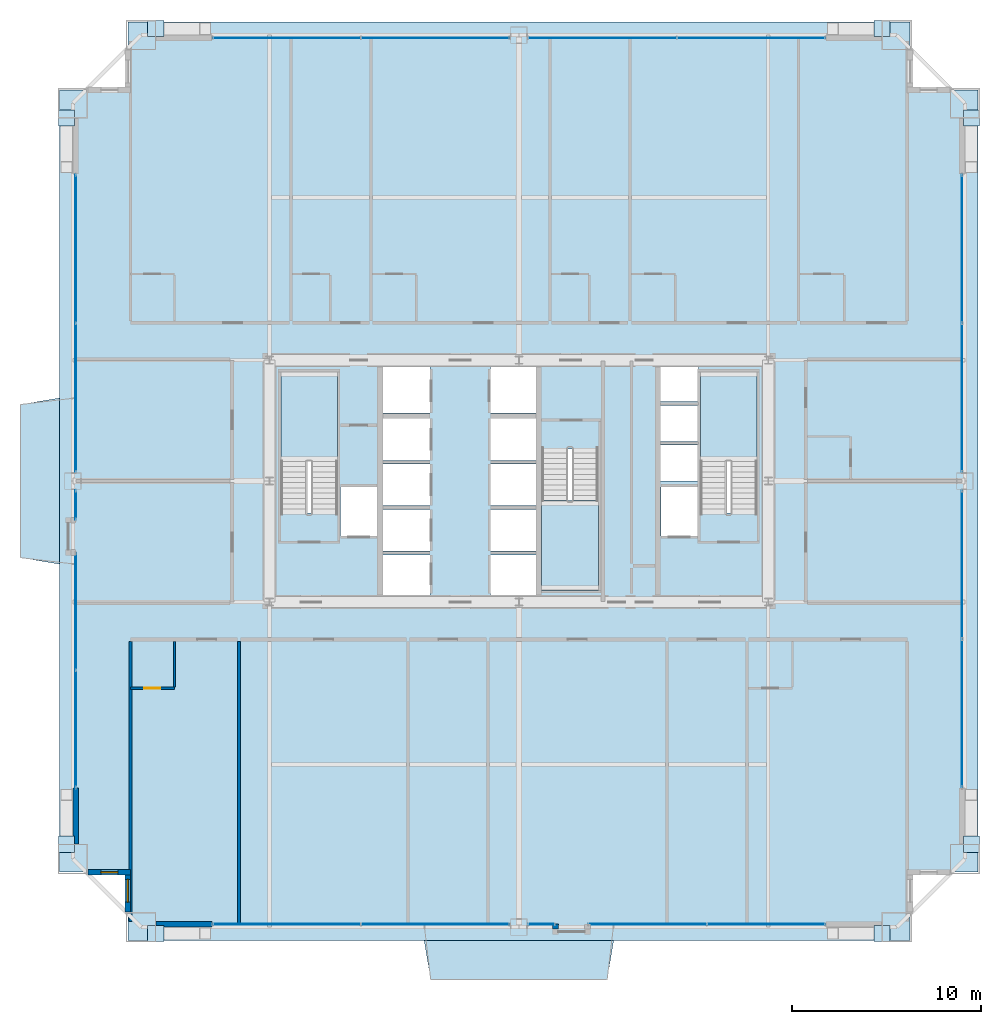
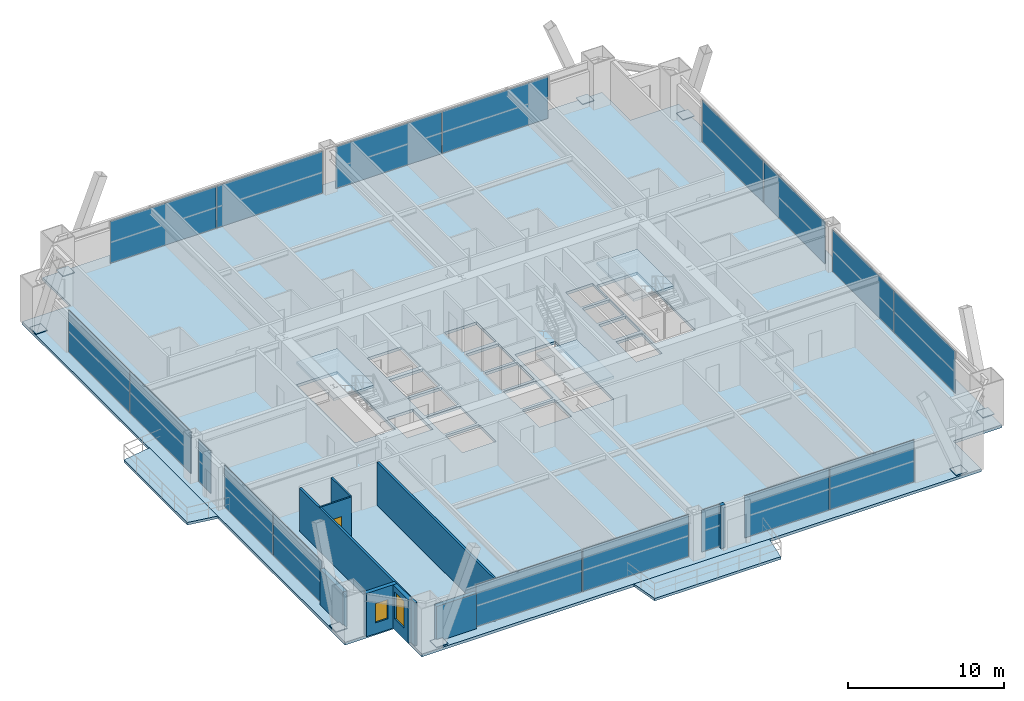
# One storey, part 37 of 42: 26 plates, 9 walls, 6 slabs, 2 windows, 1 door, 3 openings, 13 elements without a shape of their own.
"""IFC4 building model written with IfcOpenShell, lengths in metres."""

from ifc_helpers import new_model, si_unit, direction, frame, frame_2d, origin, origin_2d, place, context, subcontext, project, spatial, polyline, rectangle, outline, extrude, source, transform, mapped, material, layer, layer_set, type_object, element, fill, aggregate, save


model = new_model("IFC4")

# Units and contexts
model_context = context("Model", 3, precision=1e-05, world=origin(), true_north=direction((0.0, 1.0)))
body_context = subcontext(model_context, "Body", "Model", "MODEL_VIEW")
ifc_project = project(units=[si_unit("LENGTHUNIT", "METRE"), si_unit("AREAUNIT", "SQUARE_METRE"), si_unit("VOLUMEUNIT", "CUBIC_METRE"), si_unit("PLANEANGLEUNIT", "RADIAN"), si_unit("MASSUNIT", "GRAM", prefix="KILO"), si_unit("THERMODYNAMICTEMPERATUREUNIT", "KELVIN"), si_unit("POWERUNIT", "WATT")], contexts=[model_context])

# Site, building, storey
site_placement = place(None, origin())
site = spatial("IfcSite", under=ifc_project, at=site_placement, CompositionType="ELEMENT")
building_placement = place(site_placement, origin())
building = spatial("IfcBuilding", under=site, at=building_placement, Name="Yuzanri Waterfront Tower", CompositionType="ELEMENT")
storey_placement = place(building_placement, frame((0.0, 0.0, 145.199951171875)))
storey = spatial("IfcBuildingStorey", under=building, at=storey_placement, Name="L38", CompositionType="ELEMENT", Elevation=145.199951171875)

# Slabs
ifc_material_1 = material(Name="Concrete C40", Category="concrete")
ifc_layer_1 = layer(ifc_material_1, 0.199951171875)
ifc_layer_set_1 = layer_set([ifc_layer_1], Name="Concrete C40")
slab_type_1 = type_object("IfcSlabType", Name="Concrete C40 Cantilevered Engawa Wave Terrace Slab 200", PredefinedType="FLOOR", material=ifc_layer_set_1)
slab_1_placement = place(storey_placement, frame((0.0, 0.0, -0.199951171875)))
element("IfcSlab", 1, at=slab_1_placement, inside=storey, type_object=slab_type_1, Name="L38 S Cantilevered Engawa Terrace Slab", PredefinedType="FLOOR", context=body_context, shape_type="SweptSolid", body=[
    extrude(outline(polyline([(31.9833984375, 1.5), (42.0166015625, 1.5), (41.66650390625, -0.576904296875), (32.33349609375, -0.576904296875), (31.9833984375, 1.5)])), origin(), (0.0, 0.0, 1.0), 0.199951171875),
])
slab_2_placement = place(storey_placement, frame((0.0, 0.0, -0.199951171875)))
element("IfcSlab", 2, at=slab_2_placement, inside=storey, type_object=slab_type_1, Name="L38 W Cantilevered Engawa Terrace Slab", PredefinedType="FLOOR", context=body_context, shape_type="SweptSolid", body=[
    extrude(outline(polyline([(12.699951171875, 21.39990234375), (10.623046875, 21.75), (10.623046875, 29.85009765625), (12.699951171875, 30.199951171875), (12.699951171875, 21.39990234375)])), origin(), (0.0, 0.0, 1.0), 0.199951171875),
])

# Stair, slab
ifc_material_2 = material(Name="Concrete C40", Category="concrete")
stair_type = type_object("IfcStairType", Name="Concrete C40 Core Dogleg Exit Stair", PredefinedType="HALF_TURN_STAIR", material=ifc_material_2)
stair_1_placement = place(storey_placement, origin())
stair_1 = element("IfcStair", 3, at=stair_1_placement, inside=storey, type_object=stair_type, Name="L38 Smoke-Proof Core Stair ST-01", PredefinedType="HALF_TURN_STAIR")
ifc_material_3 = material(Name="Concrete C40", Category="concrete")
ifc_layer_2 = layer(ifc_material_3, 0.179931640625)
ifc_layer_set_2 = layer_set([ifc_layer_2], Name="Concrete C40")
slab_type_2 = type_object("IfcSlabType", Name="Concrete C40 Stair Half-Landing Slab 180", PredefinedType="LANDING", material=ifc_layer_set_2)
slab_3_placement = place(storey_placement, frame((0.0, 0.0, 1.60009765625)))
slab_3 = element("IfcSlab", 4, at=slab_3_placement, type_object=slab_type_2, Name="ST-01 landing 1", PredefinedType="LANDING", context=body_context, shape_type="SweptSolid", body=[
    extrude(outline(polyline([(27.39990234375, 26.840087890625), (27.39990234375, 31.580078125), (24.39990234375, 31.580078125), (24.39990234375, 26.840087890625), (27.39990234375, 26.840087890625)])), origin(), (0.0, 0.0, 1.0), 0.199951171875),
])
aggregate(stair_1, [slab_3])

stair_2_placement = place(storey_placement, origin())
stair_2 = element("IfcStair", 5, at=stair_2_placement, inside=storey, type_object=stair_type, Name="L38 Smoke-Proof Core Stair ST-02", PredefinedType="HALF_TURN_STAIR")
slab_4_placement = place(storey_placement, frame((0.0, 0.0, 1.60009765625)))
slab_4 = element("IfcSlab", 6, at=slab_4_placement, type_object=slab_type_2, Name="ST-02 landing 1", PredefinedType="LANDING", context=body_context, shape_type="SweptSolid", body=[
    extrude(outline(polyline([(49.60009765625, 26.840087890625), (49.60009765625, 31.580078125), (46.60009765625, 31.580078125), (46.60009765625, 26.840087890625), (49.60009765625, 26.840087890625)])), origin(), (0.0, 0.0, 1.0), 0.199951171875),
])
aggregate(stair_2, [slab_4])

stair_3_placement = place(storey_placement, origin())
stair_3 = element("IfcStair", 7, at=stair_3_placement, inside=storey, type_object=stair_type, Name="L38 Smoke-Proof Core Stair ST-03", PredefinedType="HALF_TURN_STAIR")
slab_5_placement = place(storey_placement, frame((0.0, 0.0, 1.60009765625)))
slab_5 = element("IfcSlab", 8, at=slab_5_placement, type_object=slab_type_2, Name="ST-03 landing 1", PredefinedType="LANDING", context=body_context, shape_type="SweptSolid", body=[
    extrude(outline(polyline([(38.199951171875, 24.760009765625), (38.199951171875, 20.02001953125), (41.199951171875, 20.02001953125), (41.199951171875, 24.760009765625), (38.199951171875, 24.760009765625)])), origin(), (0.0, 0.0, 1.0), 0.199951171875),
])
aggregate(stair_3, [slab_5])

# Slab
ifc_material_4 = material(Name="Concrete C40", Category="concrete")
ifc_layer_3 = layer(ifc_material_4, 0.219970703125)
ifc_layer_set_3 = layer_set([ifc_layer_3], Name="Concrete C40")
slab_type_3 = type_object("IfcSlabType", Name="Concrete C40 Tower Typical Structural Floor Slab 220", PredefinedType="FLOOR", material=ifc_layer_set_3)
slab_6_placement = place(storey_placement, frame((0.0, 0.0, -0.219970703125)))
element("IfcSlab", 9, at=slab_6_placement, inside=storey, type_object=slab_type_3, Name="L38 Main Structural Floor Slab", PredefinedType="FLOOR", context=body_context, shape_type="SweptSolid", body=[
    extrude(outline(polyline([(16.300048828125, 1.5), (57.699951171875, 1.5), (57.699951171875, 5.10009765625), (61.300048828125, 5.10009765625), (61.300048828125, 46.5), (57.699951171875, 46.5), (57.699951171875, 50.10009765625), (16.300048828125, 50.10009765625), (16.300048828125, 46.5), (12.699951171875, 46.5), (12.699951171875, 5.10009765625), (16.300048828125, 5.10009765625), (16.300048828125, 1.5)]), holes=[polyline([(27.39990234375, 24.10009765625), (27.39990234375, 31.580078125), (24.39990234375, 31.580078125), (24.39990234375, 24.10009765625), (27.39990234375, 24.10009765625)]), polyline([(49.60009765625, 24.10009765625), (49.60009765625, 31.580078125), (46.60009765625, 31.580078125), (46.60009765625, 24.10009765625), (49.60009765625, 24.10009765625)]), polyline([(38.199951171875, 27.5), (38.199951171875, 20.02001953125), (41.199951171875, 20.02001953125), (41.199951171875, 27.5), (38.199951171875, 27.5)]), polyline([(27.56005859375, 22.89990234375), (29.47998046875, 22.89990234375), (29.47998046875, 25.5), (27.56005859375, 25.5), (27.56005859375, 22.89990234375)]), polyline([(44.52001953125, 22.89990234375), (46.43994140625, 22.89990234375), (46.43994140625, 25.5), (44.52001953125, 25.5), (44.52001953125, 22.89990234375)]), polyline([(29.800048828125, 19.699951171875), (32.300048828125, 19.699951171875), (32.300048828125, 21.89990234375), (29.800048828125, 21.89990234375), (29.800048828125, 19.699951171875)]), polyline([(29.800048828125, 22.10009765625), (32.300048828125, 22.10009765625), (32.300048828125, 24.300048828125), (29.800048828125, 24.300048828125), (29.800048828125, 22.10009765625)]), polyline([(29.800048828125, 24.5), (32.300048828125, 24.5), (32.300048828125, 26.699951171875), (29.800048828125, 26.699951171875), (29.800048828125, 24.5)]), polyline([(29.800048828125, 26.89990234375), (32.300048828125, 26.89990234375), (32.300048828125, 29.10009765625), (29.800048828125, 29.10009765625), (29.800048828125, 26.89990234375)]), polyline([(29.800048828125, 29.39990234375), (32.300048828125, 29.39990234375), (32.300048828125, 31.89990234375), (29.800048828125, 31.89990234375), (29.800048828125, 29.39990234375)]), polyline([(35.5, 19.699951171875), (37.89990234375, 19.699951171875), (37.89990234375, 21.89990234375), (35.5, 21.89990234375), (35.5, 19.699951171875)]), polyline([(35.5, 22.10009765625), (37.89990234375, 22.10009765625), (37.89990234375, 24.300048828125), (35.5, 24.300048828125), (35.5, 22.10009765625)]), polyline([(35.5, 24.5), (37.89990234375, 24.5), (37.89990234375, 26.699951171875), (35.5, 26.699951171875), (35.5, 24.5)]), polyline([(35.5, 26.89990234375), (37.89990234375, 26.89990234375), (37.89990234375, 29.10009765625), (35.5, 29.10009765625), (35.5, 26.89990234375)]), polyline([(35.5, 29.39990234375), (37.89990234375, 29.39990234375), (37.89990234375, 31.89990234375), (35.5, 31.89990234375), (35.5, 29.39990234375)]), polyline([(44.5, 25.800048828125), (46.5, 25.800048828125), (46.5, 27.699951171875), (44.5, 27.699951171875), (44.5, 25.800048828125)]), polyline([(44.5, 27.89990234375), (46.5, 27.89990234375), (46.5, 29.800048828125), (44.5, 29.800048828125), (44.5, 27.89990234375)]), polyline([(44.5, 30.0), (46.5, 30.0), (46.5, 31.89990234375), (44.5, 31.89990234375), (44.5, 30.0)])]), origin(), (0.0, 0.0, 1.0), 0.219970703125),
])

# Plates
ifc_material_5 = material(Name="Steel Q420GJC", Category="steel")
ifc_layer_4 = layer(ifc_material_5, 0.0400390625)
ifc_layer_set_4 = layer_set([ifc_layer_4], Name="Steel Q420GJC")
plate_type_1 = type_object("IfcPlateType", Name="Steel Q420GJC Mega-Brace Gusset and End-Cap Plate 40", PredefinedType="SHEET", material=ifc_layer_set_4)
shared_shape_1 = source(origin(), body_context, "Body", "SweptSolid", [
    extrude(rectangle(XDim=0.85009765625, YDim=0.85009765625, at=origin_2d()), origin(), (0.0, 0.0, 1.0), 0.0400390625),
])
for number, where, z_axis, x_axis, name in (
    (10, (17.780029296875, 1.860107421875, 0.159912109375), (0.0, 0.0, 1.0), (1.0, 0.0, 0.0), "L38 Mega-Brace Foot Cap Plate S-L"),
    (11, (56.219970703125, 1.860107421875, 0.159912109375), (0.0, 0.0, 1.0), (1.0, 0.0, 0.0), "L38 Mega-Brace Foot Cap Plate S-R"),
    (12, (17.780029296875, 49.739990234375, 0.159912109375), (0.0, 0.0, 1.0), (1.0, 0.0, 0.0), "L38 Mega-Brace Foot Cap Plate N-L"),
    (13, (56.219970703125, 49.739990234375, 0.159912109375), (0.0, 0.0, 1.0), (1.0, 0.0, 0.0), "L38 Mega-Brace Foot Cap Plate N-R"),
    (14, (13.06005859375, 6.580078125, 0.159912109375), (0.0, 0.0, 1.0), (1.0, 0.0, 0.0), "L38 Mega-Brace Foot Cap Plate W-L"),
    (15, (13.06005859375, 45.02001953125, 0.159912109375), (0.0, 0.0, 1.0), (1.0, 0.0, 0.0), "L38 Mega-Brace Foot Cap Plate W-R"),
    (16, (60.93994140625, 6.580078125, 0.159912109375), (0.0, 0.0, 1.0), (1.0, 0.0, 0.0), "L38 Mega-Brace Foot Cap Plate E-L"),
    (17, (60.93994140625, 45.02001953125, 0.159912109375), (0.0, 0.0, 1.0), (1.0, 0.0, 0.0), "L38 Mega-Brace Foot Cap Plate E-R"),
):
    element("IfcPlate", number, at=place(storey_placement, frame(where, z_axis=z_axis, x_axis=x_axis)), inside=storey, type_object=plate_type_1, Name=name, PredefinedType="SHEET", context=body_context, shape_type="MappedRepresentation", body=[
        mapped(shared_shape_1, transform((0.0, 0.0, 0.0), scale=1.0)),
    ])

# Curtain wall, plate
ifc_material_6 = material(Name="Anodized Architectural Bronze", Category="metal")
ifc_layer_5 = layer(ifc_material_6, 0.159912109375)
ifc_layer_set_5 = layer_set([ifc_layer_5], Name="Anodized Architectural Bronze")
curtain_wall_type = type_object("IfcCurtainWallType", Name="Anodized Bronze Hotel Upper-Tier Solar-Control Unitized Curtain Wall 7800", PredefinedType="NOTDEFINED", material=ifc_layer_set_5)
curtain_wall_1_placement = place(storey_placement, origin())
curtain_wall_1 = element("IfcCurtainWall", 18, at=curtain_wall_1_placement, inside=storey, type_object=curtain_wall_type, Name="L38 Curtain Wall CW-L38-WL2", PredefinedType="NOTDEFINED")
ifc_material_7 = material(Name="Double-Silver Low-E Insulated Glass", Category="glass")
ifc_layer_6 = layer(ifc_material_7, 0.035888671875)
ifc_layer_set_6 = layer_set([ifc_layer_6], Name="Double-Silver Low-E Insulated Glass")
plate_type_2 = type_object("IfcPlateType", Name="Double Silver Low-E Insulated Vision Glass Panel 36", PredefinedType="CURTAIN_PANEL", material=ifc_layer_set_6)
shared_shape_2 = source(origin(), body_context, "Body", "SweptSolid", [
    extrude(rectangle(XDim=1.544921875, YDim=0.035888671875, at=origin_2d()), origin(), (0.0, 0.0, 1.0), 3.280029296875),
])
plate_1_placement = place(storey_placement, frame((13.550048828125, 24.53759765625, 0.0498046875), z_axis=(0.0, 0.0, 1.0), x_axis=(0.0, 1.0, 0.0)))
plate_1 = element("IfcPlate", 19, at=plate_1_placement, type_object=plate_type_2, Name="CW-L38-WL2 Vision Glass Panel 01", PredefinedType="CURTAIN_PANEL", context=body_context, shape_type="MappedRepresentation", body=[
    mapped(shared_shape_2, transform((0.0, 0.0, 0.0), scale=1.0)),
])
aggregate(curtain_wall_1, [plate_1])

# Curtain wall, plates
curtain_wall_2_placement = place(storey_placement, origin())
curtain_wall_2 = element("IfcCurtainWall", 20, at=curtain_wall_2_placement, inside=storey, type_object=curtain_wall_type, Name="L38 Curtain Wall CW-L38-SL", PredefinedType="NOTDEFINED")
shared_shape_3 = source(origin(), body_context, "Body", "SweptSolid", [
    extrude(rectangle(XDim=7.820068359375, YDim=0.035888671875, at=origin_2d()), origin(), (0.0, 0.0, 1.0), 3.280029296875),
])
plate_2_placement = place(storey_placement, frame((24.699951171875, 2.35009765625, 0.0498046875), z_axis=(0.0, 0.0, 1.0), x_axis=(1.0, 0.0, 0.0)))
plate_2 = element("IfcPlate", 21, at=plate_2_placement, type_object=plate_type_2, Name="CW-L38-SL Vision Glass Panel 01", PredefinedType="CURTAIN_PANEL", context=body_context, shape_type="MappedRepresentation", body=[
    mapped(shared_shape_3, transform((0.0, 0.0, 0.0), scale=1.0)),
])
plate_3_placement = place(storey_placement, frame((32.60009765625, 2.35009765625, 0.0498046875), z_axis=(0.0, 0.0, 1.0), x_axis=(1.0, 0.0, 0.0)))
plate_3 = element("IfcPlate", 22, at=plate_3_placement, type_object=plate_type_2, Name="CW-L38-SL Vision Glass Panel 02", PredefinedType="CURTAIN_PANEL", context=body_context, shape_type="MappedRepresentation", body=[
    mapped(shared_shape_3, transform((0.0, 0.0, 0.0), scale=1.0)),
])
aggregate(curtain_wall_2, [plate_2, plate_3])

curtain_wall_3_placement = place(storey_placement, origin())
curtain_wall_3 = element("IfcCurtainWall", 23, at=curtain_wall_3_placement, inside=storey, type_object=curtain_wall_type, Name="L38 Curtain Wall CW-L38-NL", PredefinedType="NOTDEFINED")
plate_4_placement = place(storey_placement, frame((24.699951171875, 49.25, 0.0498046875), z_axis=(0.0, 0.0, 1.0), x_axis=(1.0, 0.0, 0.0)))
plate_4 = element("IfcPlate", 24, at=plate_4_placement, type_object=plate_type_2, Name="CW-L38-NL Vision Glass Panel 01", PredefinedType="CURTAIN_PANEL", context=body_context, shape_type="MappedRepresentation", body=[
    mapped(shared_shape_3, transform((0.0, 0.0, 0.0), scale=1.0)),
])
plate_5_placement = place(storey_placement, frame((32.60009765625, 49.25, 0.0498046875), z_axis=(0.0, 0.0, 1.0), x_axis=(1.0, 0.0, 0.0)))
plate_5 = element("IfcPlate", 25, at=plate_5_placement, type_object=plate_type_2, Name="CW-L38-NL Vision Glass Panel 02", PredefinedType="CURTAIN_PANEL", context=body_context, shape_type="MappedRepresentation", body=[
    mapped(shared_shape_3, transform((0.0, 0.0, 0.0), scale=1.0)),
])
aggregate(curtain_wall_3, [plate_4, plate_5])

curtain_wall_4_placement = place(storey_placement, origin())
curtain_wall_4 = element("IfcCurtainWall", 26, at=curtain_wall_4_placement, inside=storey, type_object=curtain_wall_type, Name="L38 Curtain Wall CW-L38-NR", PredefinedType="NOTDEFINED")
plate_6_placement = place(storey_placement, frame((41.39990234375, 49.25, 0.0498046875), z_axis=(0.0, 0.0, 1.0), x_axis=(1.0, 0.0, 0.0)))
plate_6 = element("IfcPlate", 27, at=plate_6_placement, type_object=plate_type_2, Name="CW-L38-NR Vision Glass Panel 01", PredefinedType="CURTAIN_PANEL", context=body_context, shape_type="MappedRepresentation", body=[
    mapped(shared_shape_3, transform((0.0, 0.0, 0.0), scale=1.0)),
])
plate_7_placement = place(storey_placement, frame((49.300048828125, 49.25, 0.0498046875), z_axis=(0.0, 0.0, 1.0), x_axis=(1.0, 0.0, 0.0)))
plate_7 = element("IfcPlate", 28, at=plate_7_placement, type_object=plate_type_2, Name="CW-L38-NR Vision Glass Panel 02", PredefinedType="CURTAIN_PANEL", context=body_context, shape_type="MappedRepresentation", body=[
    mapped(shared_shape_3, transform((0.0, 0.0, 0.0), scale=1.0)),
])
aggregate(curtain_wall_4, [plate_6, plate_7])

curtain_wall_5_placement = place(storey_placement, origin())
curtain_wall_5 = element("IfcCurtainWall", 29, at=curtain_wall_5_placement, inside=storey, type_object=curtain_wall_type, Name="L38 Curtain Wall CW-L38-WR", PredefinedType="NOTDEFINED")
plate_8_placement = place(storey_placement, frame((13.550048828125, 30.199951171875, 0.0498046875), z_axis=(0.0, 0.0, 1.0), x_axis=(0.0, 1.0, 0.0)))
plate_8 = element("IfcPlate", 30, at=plate_8_placement, type_object=plate_type_2, Name="CW-L38-WR Vision Glass Panel 01", PredefinedType="CURTAIN_PANEL", context=body_context, shape_type="MappedRepresentation", body=[
    mapped(shared_shape_3, transform((0.0, 0.0, 0.0), scale=1.0)),
])
plate_9_placement = place(storey_placement, frame((13.550048828125, 38.10009765625, 0.0498046875), z_axis=(0.0, 0.0, 1.0), x_axis=(0.0, 1.0, 0.0)))
plate_9 = element("IfcPlate", 31, at=plate_9_placement, type_object=plate_type_2, Name="CW-L38-WR Vision Glass Panel 02", PredefinedType="CURTAIN_PANEL", context=body_context, shape_type="MappedRepresentation", body=[
    mapped(shared_shape_3, transform((0.0, 0.0, 0.0), scale=1.0)),
])
aggregate(curtain_wall_5, [plate_8, plate_9])

curtain_wall_6_placement = place(storey_placement, origin())
curtain_wall_6 = element("IfcCurtainWall", 32, at=curtain_wall_6_placement, inside=storey, type_object=curtain_wall_type, Name="L38 Curtain Wall CW-L38-EL", PredefinedType="NOTDEFINED")
plate_10_placement = place(storey_placement, frame((60.449951171875, 13.5, 0.0498046875), z_axis=(0.0, 0.0, 1.0), x_axis=(0.0, 1.0, 0.0)))
plate_10 = element("IfcPlate", 33, at=plate_10_placement, type_object=plate_type_2, Name="CW-L38-EL Vision Glass Panel 01", PredefinedType="CURTAIN_PANEL", context=body_context, shape_type="MappedRepresentation", body=[
    mapped(shared_shape_3, transform((0.0, 0.0, 0.0), scale=1.0)),
])
plate_11_placement = place(storey_placement, frame((60.449951171875, 21.39990234375, 0.0498046875), z_axis=(0.0, 0.0, 1.0), x_axis=(0.0, 1.0, 0.0)))
plate_11 = element("IfcPlate", 34, at=plate_11_placement, type_object=plate_type_2, Name="CW-L38-EL Vision Glass Panel 02", PredefinedType="CURTAIN_PANEL", context=body_context, shape_type="MappedRepresentation", body=[
    mapped(shared_shape_3, transform((0.0, 0.0, 0.0), scale=1.0)),
])
aggregate(curtain_wall_6, [plate_10, plate_11])

curtain_wall_7_placement = place(storey_placement, origin())
curtain_wall_7 = element("IfcCurtainWall", 35, at=curtain_wall_7_placement, inside=storey, type_object=curtain_wall_type, Name="L38 Curtain Wall CW-L38-ER", PredefinedType="NOTDEFINED")
plate_12_placement = place(storey_placement, frame((60.449951171875, 30.199951171875, 0.0498046875), z_axis=(0.0, 0.0, 1.0), x_axis=(0.0, 1.0, 0.0)))
plate_12 = element("IfcPlate", 36, at=plate_12_placement, type_object=plate_type_2, Name="CW-L38-ER Vision Glass Panel 01", PredefinedType="CURTAIN_PANEL", context=body_context, shape_type="MappedRepresentation", body=[
    mapped(shared_shape_3, transform((0.0, 0.0, 0.0), scale=1.0)),
])
plate_13_placement = place(storey_placement, frame((60.449951171875, 38.10009765625, 0.0498046875), z_axis=(0.0, 0.0, 1.0), x_axis=(0.0, 1.0, 0.0)))
plate_13 = element("IfcPlate", 37, at=plate_13_placement, type_object=plate_type_2, Name="CW-L38-ER Vision Glass Panel 02", PredefinedType="CURTAIN_PANEL", context=body_context, shape_type="MappedRepresentation", body=[
    mapped(shared_shape_3, transform((0.0, 0.0, 0.0), scale=1.0)),
])
aggregate(curtain_wall_7, [plate_12, plate_13])

curtain_wall_8_placement = place(storey_placement, origin())
curtain_wall_8 = element("IfcCurtainWall", 38, at=curtain_wall_8_placement, inside=storey, type_object=curtain_wall_type, Name="L38 Curtain Wall CW-L38-WL1", PredefinedType="NOTDEFINED")
shared_shape_4 = source(origin(), body_context, "Body", "SweptSolid", [
    extrude(rectangle(XDim=6.157470703125, YDim=0.035888671875, at=origin_2d()), origin(), (0.0, 0.0, 1.0), 3.280029296875),
])
plate_14_placement = place(storey_placement, frame((13.550048828125, 12.668701171875, 0.0498046875), z_axis=(0.0, 0.0, 1.0), x_axis=(0.0, 1.0, 0.0)))
plate_14 = element("IfcPlate", 39, at=plate_14_placement, type_object=plate_type_2, Name="CW-L38-WL1 Vision Glass Panel 01", PredefinedType="CURTAIN_PANEL", context=body_context, shape_type="MappedRepresentation", body=[
    mapped(shared_shape_4, transform((0.0, 0.0, 0.0), scale=1.0)),
])
plate_15_placement = place(storey_placement, frame((13.550048828125, 18.90625, 0.0498046875), z_axis=(0.0, 0.0, 1.0), x_axis=(0.0, 1.0, 0.0)))
plate_15 = element("IfcPlate", 40, at=plate_15_placement, type_object=plate_type_2, Name="CW-L38-WL1 Vision Glass Panel 02", PredefinedType="CURTAIN_PANEL", context=body_context, shape_type="MappedRepresentation", body=[
    mapped(shared_shape_4, transform((0.0, 0.0, 0.0), scale=1.0)),
])
aggregate(curtain_wall_8, [plate_14, plate_15])

# Curtain wall, plate
curtain_wall_9_placement = place(storey_placement, origin())
curtain_wall_9 = element("IfcCurtainWall", 41, at=curtain_wall_9_placement, inside=storey, type_object=curtain_wall_type, Name="L38 Curtain Wall CW-L38-SR1", PredefinedType="NOTDEFINED")
shared_shape_5 = source(origin(), body_context, "Body", "SweptSolid", [
    extrude(rectangle(XDim=1.403076171875, YDim=0.035888671875, at=origin_2d()), origin(), (0.0, 0.0, 1.0), 3.280029296875),
])
plate_16_placement = place(storey_placement, frame((38.19140625, 2.35009765625, 0.0498046875), z_axis=(0.0, 0.0, 1.0), x_axis=(1.0, 0.0, 0.0)))
plate_16 = element("IfcPlate", 42, at=plate_16_placement, type_object=plate_type_2, Name="CW-L38-SR1 Vision Glass Panel 01", PredefinedType="CURTAIN_PANEL", context=body_context, shape_type="MappedRepresentation", body=[
    mapped(shared_shape_5, transform((0.0, 0.0, 0.0), scale=1.0)),
])
aggregate(curtain_wall_9, [plate_16])

# Curtain wall, plates
curtain_wall_10_placement = place(storey_placement, origin())
curtain_wall_10 = element("IfcCurtainWall", 43, at=curtain_wall_10_placement, inside=storey, type_object=curtain_wall_type, Name="L38 Curtain Wall CW-L38-SR2", PredefinedType="NOTDEFINED")
shared_shape_6 = source(origin(), body_context, "Body", "SweptSolid", [
    extrude(rectangle(XDim=6.228515625, YDim=0.035888671875, at=origin_2d()), origin(), (0.0, 0.0, 1.0), 3.280029296875),
])
plate_17_placement = place(storey_placement, frame((43.787353515625, 2.35009765625, 0.0498046875), z_axis=(0.0, 0.0, 1.0), x_axis=(1.0, 0.0, 0.0)))
plate_17 = element("IfcPlate", 44, at=plate_17_placement, type_object=plate_type_2, Name="CW-L38-SR2 Vision Glass Panel 01", PredefinedType="CURTAIN_PANEL", context=body_context, shape_type="MappedRepresentation", body=[
    mapped(shared_shape_6, transform((0.0, 0.0, 0.0), scale=1.0)),
])
plate_18_placement = place(storey_placement, frame((50.095703125, 2.35009765625, 0.0498046875), z_axis=(0.0, 0.0, 1.0), x_axis=(1.0, 0.0, 0.0)))
plate_18 = element("IfcPlate", 45, at=plate_18_placement, type_object=plate_type_2, Name="CW-L38-SR2 Vision Glass Panel 02", PredefinedType="CURTAIN_PANEL", context=body_context, shape_type="MappedRepresentation", body=[
    mapped(shared_shape_6, transform((0.0, 0.0, 0.0), scale=1.0)),
])
aggregate(curtain_wall_10, [plate_17, plate_18])

# Wall, opening, door
ifc_material_8 = material(Name="Moisture-Resistant Gypsum Stud Wall", Category="gypsum")
ifc_layer_7 = layer(ifc_material_8, 0.1201171875)
ifc_layer_set_7 = layer_set([ifc_layer_7], Name="Moisture-Resistant Gypsum Stud Wall")
wall_type_1 = type_object("IfcWallType", Name="Bathroom and Kitchen Wet Partition 120", PredefinedType="PARTITIONING", material=ifc_layer_set_7)
wall_1_placement = place(storey_placement, frame((16.43994140625, 14.840087890625, 0.0), z_axis=(0.0, 0.0, 1.0), x_axis=(1.0, 0.0, 0.0)))
wall_1 = element("IfcWall", 46, at=wall_1_placement, inside=storey, type_object=wall_type_1, Name="L38 Partition UW-L38-S1-BS", PredefinedType="PARTITIONING", context=body_context, shape_type="SweptSolid", body=[
    extrude(rectangle(XDim=2.330078125, YDim=0.1201171875, at=frame_2d((1.1650390625, 0.0))), origin(), (0.0, 0.0, 1.0), 3.380126953125),
])
opening_1_placement = place(wall_1_placement, frame((0.739990234375, 0.0, 0.0)))
opening_1 = element("IfcOpeningElement", 47, at=opening_1_placement, cuts=wall_1, Name="Opening ID-0850", PredefinedType="OPENING", context=body_context, shape_type="SweptSolid", body=[
    extrude(rectangle(XDim=0.85009765625, YDim=2.10009765625, at=frame_2d((0.425048828125, 1.050048828125))), frame((0.0, 0.074951171875, 0.0), z_axis=(0.0, -1.0, 0.0), x_axis=(1.0, 0.0, 0.0)), (0.0, 0.0, 1.0), 0.14990234375),
])
ifc_material_9 = material(Name="Moisture-Resistant Lacquered Timber", Category="wood")
door_type = type_object("IfcDoorType", Name="En-Suite Bathroom and Kitchen Swing Door 850x2100", OperationType="NOTDEFINED", PredefinedType="DOOR", material=ifc_material_9)
shared_shape_7 = source(origin(), body_context, "Body", "SweptSolid", [
    extrude(rectangle(XDim=0.85009765625, YDim=2.10009765625, at=frame_2d((0.425048828125, 1.050048828125))), frame((0.0, 0.02490234375, 0.0), z_axis=(0.0, -1.0, 0.0), x_axis=(1.0, 0.0, 0.0)), (0.0, 0.0, 1.0), 0.050048828125),
])
door_placement = place(opening_1_placement, origin())
door = element("IfcDoor", 48, at=door_placement, inside=storey, type_object=door_type, Name="L38 Guest En-Suite Door", OperationType="SINGLE_SWING_LEFT", OverallHeight=2.10009765625, OverallWidth=0.85009765625, PredefinedType="DOOR", context=body_context, shape_type="MappedRepresentation", body=[
    mapped(shared_shape_7, transform((0.0, 0.0, 0.0), scale=1.0)),
])
fill(opening_1, door)

# Wall, opening, window
ifc_material_10 = material(Name="Honed Chongqing Dark Basalt Stone", Category="masonry")
ifc_layer_8 = layer(ifc_material_10, 0.300048828125)
ifc_layer_set_8 = layer_set([ifc_layer_8], Name="Honed Chongqing Dark Basalt Stone")
wall_type_2 = type_object("IfcWallType", Name="Bronze Rainscreen Insulated Spandrel Portal Wall 300", PredefinedType="SOLIDWALL", material=ifc_layer_set_8)
wall_2_placement = place(storey_placement, frame((14.199951171875, 5.10009765625, 0.0), z_axis=(0.0, 0.0, 1.0), x_axis=(1.0, 0.0, 0.0)))
wall_2 = element("IfcWall", 49, at=wall_2_placement, inside=storey, type_object=wall_type_2, Name="L38 Notched Corner Masonry Wall SW-X", PredefinedType="SOLIDWALL", context=body_context, shape_type="SweptSolid", body=[
    extrude(rectangle(XDim=2.25, YDim=0.300048828125, at=frame_2d((1.125, 0.0))), origin(), (0.0, 0.0, 1.0), 3.380126953125),
])
opening_2_placement = place(wall_2_placement, frame((0.675048828125, 0.0, 0.85009765625)))
opening_2 = element("IfcOpeningElement", 50, at=opening_2_placement, cuts=wall_2, Name="Opening WN-05", PredefinedType="OPENING", context=body_context, shape_type="SweptSolid", body=[
    extrude(rectangle(XDim=0.89990234375, YDim=1.5, at=frame_2d((0.449951171875, 0.75))), frame((0.0, 0.1650390625, 0.0), z_axis=(0.0, -1.0, 0.0), x_axis=(1.0, 0.0, 0.0)), (0.0, 0.0, 1.0), 0.329833984375),
])
ifc_material_11 = material(Name="Double-Silver Low-E Insulated Glass", Category="glass")
window_type_1 = type_object("IfcWindowType", Name="Anodized Bronze Service and Stairwell Smoke-Vent Window 900x1500", PartitioningType="SINGLE_PANEL", PredefinedType="WINDOW", material=ifc_material_11)
shared_shape_8 = source(origin(), body_context, "Body", "SweptSolid", [
    extrude(rectangle(XDim=0.89990234375, YDim=1.5, at=frame_2d((0.449951171875, 0.75))), frame((0.0, 0.030029296875, 0.0), z_axis=(0.0, -1.0, 0.0), x_axis=(1.0, 0.0, 0.0)), (0.0, 0.0, 1.0), 0.06005859375),
])
window_1_placement = place(opening_2_placement, origin())
window_1 = element("IfcWindow", 51, at=window_1_placement, inside=storey, type_object=window_type_1, Name="L38 Notched Corner Window SW-X", OverallHeight=1.5, OverallWidth=0.89990234375, PartitioningType="SINGLE_PANEL", PredefinedType="WINDOW", context=body_context, shape_type="MappedRepresentation", body=[
    mapped(shared_shape_8, transform((0.0, 0.0, 0.0), scale=1.0)),
])
fill(opening_2, window_1)

wall_3_placement = place(storey_placement, frame((16.300048828125, 5.25, 0.0), z_axis=(0.0, 0.0, 1.0), x_axis=(0.0, -1.0, 0.0)))
wall_3 = element("IfcWall", 52, at=wall_3_placement, inside=storey, type_object=wall_type_2, Name="L38 Notched Corner Masonry Wall SW-Y", PredefinedType="SOLIDWALL", context=body_context, shape_type="SweptSolid", body=[
    extrude(rectangle(XDim=2.25, YDim=0.300048828125, at=frame_2d((1.125, 0.0))), origin(), (0.0, 0.0, 1.0), 3.380126953125),
])
opening_3_placement = place(wall_3_placement, frame((0.52490234375, 0.0, 0.85009765625)))
opening_3 = element("IfcOpeningElement", 53, at=opening_3_placement, cuts=wall_3, Name="Opening WN-02", PredefinedType="OPENING", context=body_context, shape_type="SweptSolid", body=[
    extrude(rectangle(XDim=1.199951171875, YDim=2.10009765625, at=frame_2d((0.60009765625, 1.050048828125))), frame((0.0, 0.1650390625, 0.0), z_axis=(0.0, -1.0, 0.0), x_axis=(1.0, 0.0, 0.0)), (0.0, 0.0, 1.0), 0.329833984375),
])
ifc_material_12 = material(Name="Double-Silver Low-E Insulated Glass", Category="glass")
window_type_2 = type_object("IfcWindowType", Name="Anodized Bronze Notched Corner Deep-Set Slot Window 1200x2100", PartitioningType="SINGLE_PANEL", PredefinedType="WINDOW", material=ifc_material_12)
shared_shape_9 = source(origin(), body_context, "Body", "SweptSolid", [
    extrude(rectangle(XDim=1.199951171875, YDim=2.10009765625, at=frame_2d((0.60009765625, 1.050048828125))), frame((0.0, 0.030029296875, 0.0), z_axis=(0.0, -1.0, 0.0), x_axis=(1.0, 0.0, 0.0)), (0.0, 0.0, 1.0), 0.06005859375),
])
window_2_placement = place(opening_3_placement, origin())
window_2 = element("IfcWindow", 54, at=window_2_placement, inside=storey, type_object=window_type_2, Name="L38 Notched Corner Window SW-Y", OverallHeight=2.10009765625, OverallWidth=1.199951171875, PartitioningType="SINGLE_PANEL", PredefinedType="WINDOW", context=body_context, shape_type="MappedRepresentation", body=[
    mapped(shared_shape_9, transform((0.0, 0.0, 0.0), scale=1.0)),
])
fill(opening_3, window_2)

# Walls
shared_shape_10 = source(origin(), body_context, "Body", "SweptSolid", [
    extrude(rectangle(XDim=0.25, YDim=0.300048828125, at=frame_2d((0.125, 0.0))), origin(), (0.0, 0.0, 1.0), 3.380126953125),
])
wall_4_placement = place(storey_placement, frame((38.93310546875, 2.35009765625, 0.0), z_axis=(0.0, 0.0, 1.0), x_axis=(0.0, -1.0, 0.0)))
element("IfcWall", 55, at=wall_4_placement, inside=storey, type_object=wall_type_2, Name="L38 S Terrace Portal Left Return", PredefinedType="SOLIDWALL", context=body_context, shape_type="MappedRepresentation", body=[
    mapped(shared_shape_10, transform((0.0, 0.0, 0.0), scale=1.0)),
])
shared_shape_11 = source(origin(), body_context, "Body", "SweptSolid", [
    extrude(rectangle(XDim=2.949951171875, YDim=0.300048828125, at=frame_2d((1.47509765625, 0.0))), origin(), (0.0, 0.0, 1.0), 2.775146484375),
])
for number, where, z_axis, x_axis, name in (
    (56, (17.800048828125, 2.35009765625, 0.0), (0.0, 0.0, 1.0), (1.0, 0.0, 0.0), "L38 S Left Braced Masonry Shoulder"),
    (57, (13.550048828125, 6.60009765625, 0.0), (0.0, 0.0, 1.0), (0.0, 1.0, 0.0), "L38 W Left Braced Masonry Shoulder"),
):
    element("IfcWall", number, at=place(storey_placement, frame(where, z_axis=z_axis, x_axis=x_axis)), inside=storey, type_object=wall_type_2, Name=name, PredefinedType="SOLIDWALL", context=body_context, shape_type="MappedRepresentation", body=[
        mapped(shared_shape_11, transform((0.0, 0.0, 0.0), scale=1.0)),
    ])
shared_shape_12 = source(origin(), body_context, "Body", "SweptSolid", [
    extrude(rectangle(XDim=2.420166015625, YDim=0.1201171875, at=frame_2d((1.2099609375, 0.0))), origin(), (0.0, 0.0, 1.0), 3.380126953125),
])
wall_5_placement = place(storey_placement, frame((18.77001953125, 14.89990234375, 0.0), z_axis=(0.0, 0.0, 1.0), x_axis=(0.0, 1.0, 0.0)))
element("IfcWall", 58, at=wall_5_placement, inside=storey, type_object=wall_type_1, Name="L38-S1 En-Suite Side Wall", PredefinedType="PARTITIONING", context=body_context, shape_type="MappedRepresentation", body=[
    mapped(shared_shape_12, transform((0.0, 0.0, 0.0), scale=1.0)),
])
ifc_material_13 = material(Name="Gypsum Fireboard Acoustic Stud Wall", Category="gypsum")
ifc_layer_9 = layer(ifc_material_13, 0.159912109375)
ifc_layer_set_9 = layer_set([ifc_layer_9], Name="Gypsum Fireboard Acoustic Stud Wall")
wall_type_3 = type_object("IfcWallType", Name="Acoustic Suite Demising Partition 160", PredefinedType="PARTITIONING", material=ifc_layer_set_9)
shared_shape_13 = source(origin(), body_context, "Body", "SweptSolid", [
    extrude(rectangle(XDim=14.969970703125, YDim=0.159912109375, at=frame_2d((7.48486328125, 0.0))), origin(), (0.0, 0.0, 1.0), 3.380126953125),
])
wall_6_placement = place(storey_placement, frame((22.197021484375, 2.35009765625, 0.0), z_axis=(0.0, 0.0, 1.0), x_axis=(0.0, 1.0, 0.0)))
element("IfcWall", 59, at=wall_6_placement, inside=storey, type_object=wall_type_3, Name="L38-S1 Party Wall", PredefinedType="PARTITIONING", context=body_context, shape_type="MappedRepresentation", body=[
    mapped(shared_shape_13, transform((0.0, 0.0, 0.0), scale=1.0)),
])
shared_shape_14 = source(origin(), body_context, "Body", "SweptSolid", [
    extrude(rectangle(XDim=14.820068359375, YDim=0.159912109375, at=frame_2d((7.41015625, 0.0))), origin(), (0.0, 0.0, 1.0), 3.380126953125),
])
wall_7_placement = place(storey_placement, frame((16.449951171875, 2.5, 0.0), z_axis=(0.0, 0.0, 1.0), x_axis=(0.0, 1.0, 0.0)))
element("IfcWall", 60, at=wall_7_placement, inside=storey, type_object=wall_type_3, Name="L38 South Band West End Wall", PredefinedType="PARTITIONING", context=body_context, shape_type="MappedRepresentation", body=[
    mapped(shared_shape_14, transform((0.0, 0.0, 0.0), scale=1.0)),
])

save(model, "model.ifc")
